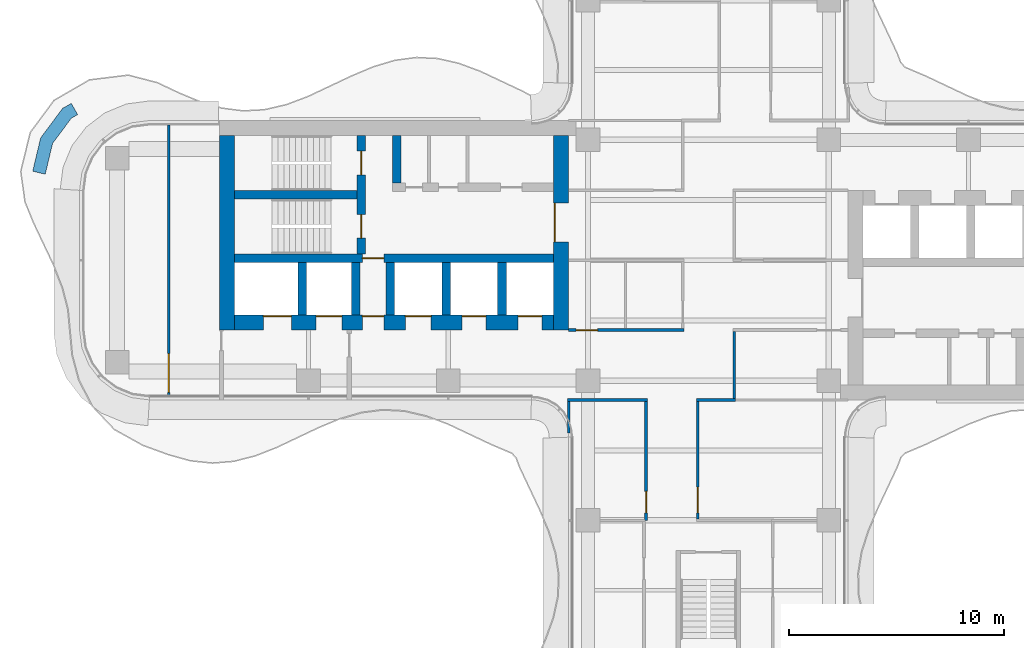
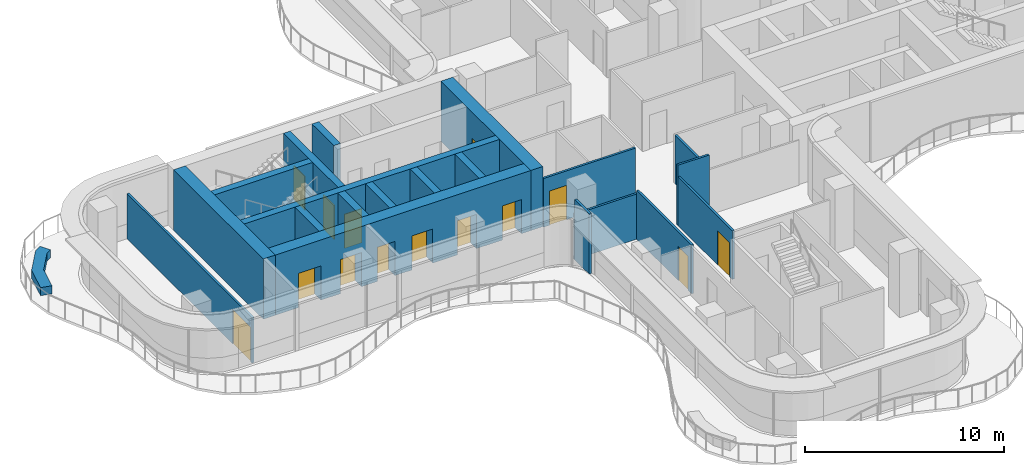
# One storey, part 12 of 17: 21 walls, 14 doors, 14 openings.
"""IFC4 building model written with IfcOpenShell, lengths in metres."""

from ifc_helpers import new_model, si_unit, direction, frame, frame_2d, origin, place, context, subcontext, project, spatial, polyline, rectangle, outline, extrude, source, transform, mapped, material, layer, layer_set, type_object, element, fill, save


model = new_model("IFC4")

# Units and contexts
model_context = context("Model", 3, precision=1e-05, world=origin(), true_north=direction((0.0, 1.0)))
body_context = subcontext(model_context, "Body", "Model", "MODEL_VIEW")
ifc_project = project(units=[si_unit("LENGTHUNIT", "METRE"), si_unit("AREAUNIT", "SQUARE_METRE"), si_unit("VOLUMEUNIT", "CUBIC_METRE"), si_unit("PLANEANGLEUNIT", "RADIAN"), si_unit("MASSUNIT", "GRAM", prefix="KILO")], contexts=[model_context])

# Site, building, storey
site_placement = place(None, origin())
site = spatial("IfcSite", under=ifc_project, at=site_placement, CompositionType="ELEMENT")
building_placement = place(site_placement, origin())
building = spatial("IfcBuilding", under=site, at=building_placement, Name="Trellis Farm Tower", CompositionType="ELEMENT")
storey_placement = place(building_placement, frame((0.0, 0.0, 236.300048828125)))
storey = spatial("IfcBuildingStorey", under=building, at=storey_placement, Name="L52", CompositionType="ELEMENT", Elevation=236.300048828125)

# Wall
ifc_material_1 = material(Name="Sandstone faced masonry planter", Category="masonry")
ifc_layer_1 = layer(ifc_material_1, 0.60009765625)
ifc_layer_set_1 = layer_set([ifc_layer_1], Name="PLANTER BED 600")
wall_type_1 = type_object("IfcWallType", Name="PLANTER BED 600", PredefinedType="USERDEFINED", material=ifc_layer_set_1)
wall_1_placement = place(storey_placement, origin())
element("IfcWall", 1, at=wall_1_placement, inside=storey, type_object=wall_type_1, Name="PLANTER bed", ObjectType="PLANTER", PredefinedType="USERDEFINED", context=body_context, shape_type="SweptSolid", body=[
    extrude(outline(polyline([(-31.059326171875, 5.690185546875), (-30.0361328125, 7.06640625), (-29.631103515625, 7.29443359375), (-29.336669921875, 6.771728515625), (-29.630615234375, 6.606201171875), (-30.50439453125, 5.430908203125), (-30.845947265625, 4.00048828125), (-31.4296875, 4.139892578125), (-31.059326171875, 5.690185546875)])), origin(), (0.0, 0.0, 1.0), 0.5),
])

# Wall, opening, door
ifc_material_2 = material(Name="Concrete C60/75", Category="concrete")
ifc_layer_2 = layer(ifc_material_2, 0.699951171875)
ifc_layer_set_2 = layer_set([ifc_layer_2], Name="CORE OUTER WALL 700 CONCRETE C60/75")
wall_type_2 = type_object("IfcWallType", Name="CORE OUTER WALL 700 CONCRETE C60/75", PredefinedType="SHEAR", material=ifc_layer_set_2)
shared_shape_1 = source(origin(), body_context, "Body", "SweptSolid", [
    extrude(rectangle(XDim=9.050048828125, YDim=0.699951171875, at=frame_2d((4.52490234375, 0.0))), origin(), (0.0, 0.0, 1.0), 3.699951171875),
])
wall_2_placement = place(storey_placement, frame((-6.85009765625, 5.800048828125, 0.0), z_axis=(0.0, 0.0, 1.0), x_axis=(0.0, -1.0, 0.0)))
wall_2 = element("IfcWall", 2, at=wall_2_placement, inside=storey, type_object=wall_type_2, Name="Core wall", PredefinedType="SHEAR", context=body_context, shape_type="MappedRepresentation", body=[
    mapped(shared_shape_1, transform((0.0, 0.0, 0.0))),
])
shared_shape_2 = source(origin(), body_context, "Body", "SweptSolid", [
    extrude(rectangle(XDim=1.800048828125, YDim=2.10009765625, at=frame_2d((0.89990234375, 1.050048828125))), frame((0.0, 0.360107421875, 0.0), z_axis=(0.0, -1.0, 0.0), x_axis=(1.0, 0.0, 0.0)), (0.0, 0.0, 1.0), 0.72021484375),
])
opening_1_placement = place(wall_2_placement, frame((3.14990234375, 0.0, 0.0)))
opening_1 = element("IfcOpeningElement", 3, at=opening_1_placement, cuts=wall_2, Name="Opening DC87", PredefinedType="OPENING", context=body_context, shape_type="MappedRepresentation", body=[
    mapped(shared_shape_2, transform((0.0, 0.0, 0.0))),
])
ifc_material_3 = material(Name="Steel", Category="steel")
door_type_1 = type_object("IfcDoorType", Name="CORE FIRE DOOR DOUBLE 1800 X 2100", OperationType="DOUBLE_DOOR_SINGLE_SWING", PredefinedType="DOOR", material=ifc_material_3)
shared_shape_3 = source(origin(), body_context, "Body", "SweptSolid", [
    extrude(rectangle(XDim=1.800048828125, YDim=2.10009765625, at=frame_2d((0.89990234375, 1.050048828125))), frame((0.0, -0.27490234375, 0.0), z_axis=(0.0, -1.0, 0.0), x_axis=(1.0, 0.0, 0.0)), (0.0, 0.0, 1.0), 0.050048828125),
])
door_1_placement = place(opening_1_placement, origin())
door_1 = element("IfcDoor", 4, at=door_1_placement, inside=storey, type_object=door_type_1, Name="Core door", OperationType="DOUBLE_DOOR_SINGLE_SWING", OverallHeight=2.10009765625, OverallWidth=1.800048828125, PredefinedType="DOOR", context=body_context, shape_type="MappedRepresentation", body=[
    mapped(shared_shape_3, transform((0.0, 0.0, 0.0))),
])
fill(opening_1, door_1)

# Walls
wall_3_placement = place(storey_placement, frame((-22.39990234375, 5.800048828125, 0.0), z_axis=(0.0, 0.0, 1.0), x_axis=(0.0, -1.0, 0.0)))
element("IfcWall", 5, at=wall_3_placement, inside=storey, type_object=wall_type_2, Name="Core wall", PredefinedType="SHEAR", context=body_context, shape_type="MappedRepresentation", body=[
    mapped(shared_shape_1, transform((0.0, 0.0, 0.0))),
])
ifc_layer_3 = layer(ifc_material_2, 0.39990234375)
ifc_layer_set_3 = layer_set([ifc_layer_3], Name="CORE INNER WALL 400 CONCRETE C60/75")
wall_type_3 = type_object("IfcWallType", Name="CORE INNER WALL 400 CONCRETE C60/75", PredefinedType="SHEAR", material=ifc_layer_set_3)
shared_shape_4 = source(origin(), body_context, "Body", "SweptSolid", [
    extrude(rectangle(XDim=2.449951171875, YDim=0.39990234375, at=frame_2d((1.22509765625, 0.0))), origin(), (0.0, 0.0, 1.0), 3.699951171875),
])
for number, where, z_axis, x_axis, name in (
    (6, (-9.60009765625, -0.10009765625, 0.0), (0.0, 0.0, 1.0), (0.0, -1.0, 0.0), "Core wall"),
    (7, (-12.199951171875, -0.10009765625, 0.0), (0.0, 0.0, 1.0), (0.0, -1.0, 0.0), "Core wall"),
    (8, (-14.800048828125, -0.10009765625, 0.0), (0.0, 0.0, 1.0), (0.0, -1.0, 0.0), "Core wall"),
    (9, (-16.39990234375, -0.10009765625, 0.0), (0.0, 0.0, 1.0), (0.0, -1.0, 0.0), "Core wall"),
    (10, (-18.89990234375, -0.10009765625, 0.0), (0.0, 0.0, 1.0), (0.0, -1.0, 0.0), "Core wall"),
):
    element("IfcWall", number, at=place(storey_placement, frame(where, z_axis=z_axis, x_axis=x_axis)), inside=storey, type_object=wall_type_3, Name=name, PredefinedType="SHEAR", context=body_context, shape_type="MappedRepresentation", body=[
        mapped(shared_shape_4, transform((0.0, 0.0, 0.0))),
    ])

# Wall, openings, doors
shared_shape_5 = source(origin(), body_context, "Body", "SweptSolid", [
    extrude(rectangle(XDim=14.85009765625, YDim=0.699951171875, at=frame_2d((7.425048828125, 0.0))), origin(), (0.0, 0.0, 1.0), 3.699951171875),
])
wall_4_placement = place(storey_placement, frame((-7.199951171875, -2.89990234375, 0.0), z_axis=(0.0, 0.0, 1.0), x_axis=(-1.0, 0.0, 0.0)))
wall_4 = element("IfcWall", 11, at=wall_4_placement, inside=storey, type_object=wall_type_2, Name="Core wall", PredefinedType="SHEAR", context=body_context, shape_type="MappedRepresentation", body=[
    mapped(shared_shape_5, transform((0.0, 0.0, 0.0))),
])
shared_shape_6 = source(origin(), body_context, "Body", "SweptSolid", [
    extrude(rectangle(XDim=1.10009765625, YDim=2.10009765625, at=frame_2d((0.550048828125, 1.050048828125))), frame((0.0, 0.360107421875, 0.0), z_axis=(0.0, -1.0, 0.0), x_axis=(1.0, 0.0, 0.0)), (0.0, 0.0, 1.0), 0.72021484375),
])
opening_2_placement = place(wall_4_placement, frame((0.550048828125, 0.0, 0.0)))
opening_2 = element("IfcOpeningElement", 12, at=opening_2_placement, cuts=wall_4, Name="Opening LD12", PredefinedType="OPENING", context=body_context, shape_type="MappedRepresentation", body=[
    mapped(shared_shape_6, transform((0.0, 0.0, 0.0))),
])
opening_3_placement = place(wall_4_placement, frame((3.14990234375, 0.0, 0.0)))
opening_3 = element("IfcOpeningElement", 13, at=opening_3_placement, cuts=wall_4, Name="Opening LD13", PredefinedType="OPENING", context=body_context, shape_type="MappedRepresentation", body=[
    mapped(shared_shape_6, transform((0.0, 0.0, 0.0))),
])
shared_shape_7 = source(origin(), body_context, "Body", "SweptSolid", [
    extrude(rectangle(XDim=1.199951171875, YDim=2.10009765625, at=frame_2d((0.60009765625, 1.050048828125))), frame((0.0, 0.360107421875, 0.0), z_axis=(0.0, -1.0, 0.0), x_axis=(1.0, 0.0, 0.0)), (0.0, 0.0, 1.0), 0.72021484375),
])
opening_4_placement = place(wall_4_placement, frame((5.699951171875, 0.0, 0.0)))
opening_4 = element("IfcOpeningElement", 14, at=opening_4_placement, cuts=wall_4, Name="Opening LD14", PredefinedType="OPENING", context=body_context, shape_type="MappedRepresentation", body=[
    mapped(shared_shape_7, transform((0.0, 0.0, 0.0))),
])
shared_shape_8 = source(origin(), body_context, "Body", "SweptSolid", [
    extrude(rectangle(XDim=1.300048828125, YDim=2.10009765625, at=frame_2d((0.64990234375, 1.050048828125))), frame((0.0, 0.360107421875, 0.0), z_axis=(0.0, -1.0, 0.0), x_axis=(1.0, 0.0, 0.0)), (0.0, 0.0, 1.0), 0.72021484375),
])
opening_5_placement = place(wall_4_placement, frame((12.199951171875, 0.0, 0.0)))
opening_5 = element("IfcOpeningElement", 15, at=opening_5_placement, cuts=wall_4, Name="Opening LD15", PredefinedType="OPENING", context=body_context, shape_type="MappedRepresentation", body=[
    mapped(shared_shape_8, transform((0.0, 0.0, 0.0))),
])
opening_6_placement = place(wall_4_placement, frame((9.85009765625, 0.0, 0.0)))
opening_6 = element("IfcOpeningElement", 16, at=opening_6_placement, cuts=wall_4, Name="Opening LD16", PredefinedType="OPENING", context=body_context, shape_type="MappedRepresentation", body=[
    mapped(shared_shape_7, transform((0.0, 0.0, 0.0))),
])
shared_shape_9 = source(origin(), body_context, "Body", "SweptSolid", [
    extrude(rectangle(XDim=1.0, YDim=2.10009765625, at=frame_2d((0.5, 1.050048828125))), frame((0.0, 0.360107421875, 0.0), z_axis=(0.0, -1.0, 0.0), x_axis=(1.0, 0.0, 0.0)), (0.0, 0.0, 1.0), 0.72021484375),
])
opening_7_placement = place(wall_4_placement, frame((7.89990234375, 0.0, 0.0)))
opening_7 = element("IfcOpeningElement", 17, at=opening_7_placement, cuts=wall_4, Name="Opening DC92", PredefinedType="OPENING", context=body_context, shape_type="MappedRepresentation", body=[
    mapped(shared_shape_9, transform((0.0, 0.0, 0.0))),
])
door_type_2 = type_object("IfcDoorType", Name="CORE FIRE DOOR 1000 X 2100", OperationType="NOTDEFINED", PredefinedType="DOOR", material=ifc_material_3)
shared_shape_10 = source(origin(), body_context, "Body", "SweptSolid", [
    extrude(rectangle(XDim=1.0, YDim=2.10009765625, at=frame_2d((0.5, 1.050048828125))), frame((0.0, -0.27490234375, 0.0), z_axis=(0.0, -1.0, 0.0), x_axis=(1.0, 0.0, 0.0)), (0.0, 0.0, 1.0), 0.050048828125),
])
door_2_placement = place(opening_7_placement, origin())
door_2 = element("IfcDoor", 18, at=door_2_placement, inside=storey, type_object=door_type_2, Name="Core door", OperationType="SINGLE_SWING_LEFT", OverallHeight=2.10009765625, OverallWidth=1.0, PredefinedType="DOOR", context=body_context, shape_type="MappedRepresentation", body=[
    mapped(shared_shape_10, transform((0.0, 0.0, 0.0))),
])
fill(opening_7, door_2)
ifc_material_4 = material(Name="Stainless steel", Category="steel")
door_type_3 = type_object("IfcDoorType", Name="LIFT LANDING DOOR 1300 X 2100", OperationType="DOUBLE_DOOR_SLIDING", PredefinedType="DOOR", material=ifc_material_4)
shared_shape_11 = source(origin(), body_context, "Body", "SweptSolid", [
    extrude(rectangle(XDim=1.300048828125, YDim=2.10009765625, at=frame_2d((0.64990234375, 1.050048828125))), frame((0.0, -0.27490234375, 0.0), z_axis=(0.0, -1.0, 0.0), x_axis=(1.0, 0.0, 0.0)), (0.0, 0.0, 1.0), 0.050048828125),
])
door_3_placement = place(opening_5_placement, origin())
door_3 = element("IfcDoor", 19, at=door_3_placement, inside=storey, type_object=door_type_3, Name="Lift landing door", OperationType="DOUBLE_DOOR_SLIDING", OverallHeight=2.10009765625, OverallWidth=1.300048828125, PredefinedType="DOOR", context=body_context, shape_type="MappedRepresentation", body=[
    mapped(shared_shape_11, transform((0.0, 0.0, 0.0))),
])
fill(opening_5, door_3)
door_type_4 = type_object("IfcDoorType", Name="LIFT LANDING DOOR 1200 X 2100", OperationType="DOUBLE_DOOR_SLIDING", PredefinedType="DOOR", material=ifc_material_4)
shared_shape_12 = source(origin(), body_context, "Body", "SweptSolid", [
    extrude(rectangle(XDim=1.199951171875, YDim=2.10009765625, at=frame_2d((0.60009765625, 1.050048828125))), frame((0.0, -0.27490234375, 0.0), z_axis=(0.0, -1.0, 0.0), x_axis=(1.0, 0.0, 0.0)), (0.0, 0.0, 1.0), 0.050048828125),
])
door_4_placement = place(opening_4_placement, origin())
door_4 = element("IfcDoor", 20, at=door_4_placement, inside=storey, type_object=door_type_4, Name="Lift landing door", OperationType="DOUBLE_DOOR_SLIDING", OverallHeight=2.10009765625, OverallWidth=1.199951171875, PredefinedType="DOOR", context=body_context, shape_type="MappedRepresentation", body=[
    mapped(shared_shape_12, transform((0.0, 0.0, 0.0))),
])
fill(opening_4, door_4)
door_5_placement = place(opening_6_placement, origin())
door_5 = element("IfcDoor", 21, at=door_5_placement, inside=storey, type_object=door_type_4, Name="Lift landing door", OperationType="DOUBLE_DOOR_SLIDING", OverallHeight=2.10009765625, OverallWidth=1.199951171875, PredefinedType="DOOR", context=body_context, shape_type="MappedRepresentation", body=[
    mapped(shared_shape_12, transform((0.0, 0.0, 0.0))),
])
fill(opening_6, door_5)
door_type_5 = type_object("IfcDoorType", Name="LIFT LANDING DOOR 1100 X 2100", OperationType="DOUBLE_DOOR_SLIDING", PredefinedType="DOOR", material=ifc_material_4)
shared_shape_13 = source(origin(), body_context, "Body", "SweptSolid", [
    extrude(rectangle(XDim=1.10009765625, YDim=2.10009765625, at=frame_2d((0.550048828125, 1.050048828125))), frame((0.0, -0.27490234375, 0.0), z_axis=(0.0, -1.0, 0.0), x_axis=(1.0, 0.0, 0.0)), (0.0, 0.0, 1.0), 0.050048828125),
])
door_6_placement = place(opening_2_placement, origin())
door_6 = element("IfcDoor", 22, at=door_6_placement, inside=storey, type_object=door_type_5, Name="Lift landing door", OperationType="DOUBLE_DOOR_SLIDING", OverallHeight=2.10009765625, OverallWidth=1.10009765625, PredefinedType="DOOR", context=body_context, shape_type="MappedRepresentation", body=[
    mapped(shared_shape_13, transform((0.0, 0.0, 0.0))),
])
fill(opening_2, door_6)
door_7_placement = place(opening_3_placement, origin())
door_7 = element("IfcDoor", 23, at=door_7_placement, inside=storey, type_object=door_type_5, Name="Lift landing door", OperationType="DOUBLE_DOOR_SLIDING", OverallHeight=2.10009765625, OverallWidth=1.10009765625, PredefinedType="DOOR", context=body_context, shape_type="MappedRepresentation", body=[
    mapped(shared_shape_13, transform((0.0, 0.0, 0.0))),
])
fill(opening_3, door_7)

# Wall, opening, door
shared_shape_14 = source(origin(), body_context, "Body", "SweptSolid", [
    extrude(rectangle(XDim=14.85009765625, YDim=0.39990234375, at=frame_2d((7.425048828125, 0.0))), origin(), (0.0, 0.0, 1.0), 3.699951171875),
])
wall_5_placement = place(storey_placement, frame((-7.199951171875, 0.10009765625, 0.0), z_axis=(0.0, 0.0, 1.0), x_axis=(-1.0, 0.0, 0.0)))
wall_5 = element("IfcWall", 24, at=wall_5_placement, inside=storey, type_object=wall_type_3, Name="Core wall", PredefinedType="SHEAR", context=body_context, shape_type="MappedRepresentation", body=[
    mapped(shared_shape_14, transform((0.0, 0.0, 0.0))),
])
shared_shape_15 = source(origin(), body_context, "Body", "SweptSolid", [
    extrude(rectangle(XDim=1.0, YDim=2.10009765625, at=frame_2d((0.5, 1.050048828125))), frame((0.0, 0.2099609375, 0.0), z_axis=(0.0, -1.0, 0.0), x_axis=(1.0, 0.0, 0.0)), (0.0, 0.0, 1.0), 0.419921875),
])
opening_8_placement = place(wall_5_placement, frame((7.89990234375, 0.0, 0.0)))
opening_8 = element("IfcOpeningElement", 25, at=opening_8_placement, cuts=wall_5, Name="Opening DC91", PredefinedType="OPENING", context=body_context, shape_type="MappedRepresentation", body=[
    mapped(shared_shape_15, transform((0.0, 0.0, 0.0))),
])
shared_shape_16 = source(origin(), body_context, "Body", "SweptSolid", [
    extrude(rectangle(XDim=1.0, YDim=2.10009765625, at=frame_2d((0.5, 1.050048828125))), frame((0.0, 0.02490234375, 0.0), z_axis=(0.0, -1.0, 0.0), x_axis=(1.0, 0.0, 0.0)), (0.0, 0.0, 1.0), 0.050048828125),
])
door_8_placement = place(opening_8_placement, origin())
door_8 = element("IfcDoor", 26, at=door_8_placement, inside=storey, type_object=door_type_2, Name="Core door", OperationType="SINGLE_SWING_RIGHT", OverallHeight=2.10009765625, OverallWidth=1.0, PredefinedType="DOOR", context=body_context, shape_type="MappedRepresentation", body=[
    mapped(shared_shape_16, transform((0.0, 0.0, 0.0))),
])
fill(opening_8, door_8)

# Wall, openings, doors
shared_shape_17 = source(origin(), body_context, "Body", "SweptSolid", [
    extrude(rectangle(XDim=5.5, YDim=0.39990234375, at=frame_2d((2.75, 0.0))), origin(), (0.0, 0.0, 1.0), 3.699951171875),
])
wall_6_placement = place(storey_placement, frame((-16.14990234375, 5.800048828125, 0.0), z_axis=(0.0, 0.0, 1.0), x_axis=(0.0, -1.0, 0.0)))
wall_6 = element("IfcWall", 27, at=wall_6_placement, inside=storey, type_object=wall_type_3, Name="Core wall", PredefinedType="SHEAR", context=body_context, shape_type="MappedRepresentation", body=[
    mapped(shared_shape_17, transform((0.0, 0.0, 0.0))),
])
shared_shape_18 = source(origin(), body_context, "Body", "SweptSolid", [
    extrude(rectangle(XDim=1.10009765625, YDim=2.10009765625, at=frame_2d((0.550048828125, 1.050048828125))), frame((0.0, 0.2099609375, 0.0), z_axis=(0.0, -1.0, 0.0), x_axis=(1.0, 0.0, 0.0)), (0.0, 0.0, 1.0), 0.419921875),
])
opening_9_placement = place(wall_6_placement, frame((0.72509765625, 0.0, 0.0)))
opening_9 = element("IfcOpeningElement", 28, at=opening_9_placement, cuts=wall_6, Name="Opening DC88", PredefinedType="OPENING", context=body_context, shape_type="MappedRepresentation", body=[
    mapped(shared_shape_18, transform((0.0, 0.0, 0.0))),
])
opening_10_placement = place(wall_6_placement, frame((3.675048828125, 0.0, 0.0)))
opening_10 = element("IfcOpeningElement", 29, at=opening_10_placement, cuts=wall_6, Name="Opening DC89", PredefinedType="OPENING", context=body_context, shape_type="MappedRepresentation", body=[
    mapped(shared_shape_18, transform((0.0, 0.0, 0.0))),
])
door_type_6 = type_object("IfcDoorType", Name="CORE FIRE DOOR 1100 X 2100", OperationType="NOTDEFINED", PredefinedType="DOOR", material=ifc_material_3)
shared_shape_19 = source(origin(), body_context, "Body", "SweptSolid", [
    extrude(rectangle(XDim=1.10009765625, YDim=2.10009765625, at=frame_2d((0.550048828125, 1.050048828125))), frame((0.0, 0.02490234375, 0.0), z_axis=(0.0, -1.0, 0.0), x_axis=(1.0, 0.0, 0.0)), (0.0, 0.0, 1.0), 0.050048828125),
])
door_9_placement = place(opening_9_placement, origin())
door_9 = element("IfcDoor", 30, at=door_9_placement, inside=storey, type_object=door_type_6, Name="Core door", OperationType="SINGLE_SWING_RIGHT", OverallHeight=2.10009765625, OverallWidth=1.10009765625, PredefinedType="DOOR", context=body_context, shape_type="MappedRepresentation", body=[
    mapped(shared_shape_19, transform((0.0, 0.0, 0.0))),
])
fill(opening_9, door_9)
door_10_placement = place(opening_10_placement, origin())
door_10 = element("IfcDoor", 31, at=door_10_placement, inside=storey, type_object=door_type_6, Name="Core door", OperationType="SINGLE_SWING_LEFT", OverallHeight=2.10009765625, OverallWidth=1.10009765625, PredefinedType="DOOR", context=body_context, shape_type="MappedRepresentation", body=[
    mapped(shared_shape_19, transform((0.0, 0.0, 0.0))),
])
fill(opening_10, door_10)

# Walls
shared_shape_20 = source(origin(), body_context, "Body", "SweptSolid", [
    extrude(rectangle(XDim=5.699951171875, YDim=0.39990234375, at=frame_2d((2.85009765625, 0.0))), origin(), (0.0, 0.0, 1.0), 3.699951171875),
])
wall_7_placement = place(storey_placement, frame((-16.35009765625, 3.050048828125, 0.0), z_axis=(0.0, 0.0, 1.0), x_axis=(-1.0, 0.0, 0.0)))
element("IfcWall", 32, at=wall_7_placement, inside=storey, type_object=wall_type_3, Name="Core wall", PredefinedType="SHEAR", context=body_context, shape_type="MappedRepresentation", body=[
    mapped(shared_shape_20, transform((0.0, 0.0, 0.0))),
])
shared_shape_21 = source(origin(), body_context, "Body", "SweptSolid", [
    extrude(rectangle(XDim=2.199951171875, YDim=0.39990234375, at=frame_2d((1.10009765625, 0.0))), origin(), (0.0, 0.0, 1.0), 3.699951171875),
])
wall_8_placement = place(storey_placement, frame((-14.5, 5.800048828125, 0.0), z_axis=(0.0, 0.0, 1.0), x_axis=(0.0, -1.0, 0.0)))
element("IfcWall", 33, at=wall_8_placement, inside=storey, type_object=wall_type_3, Name="Core wall", PredefinedType="SHEAR", context=body_context, shape_type="MappedRepresentation", body=[
    mapped(shared_shape_21, transform((0.0, 0.0, 0.0))),
])
ifc_material_5 = material(Name="Plasterboard on steel studs, mineral wool", Category="steel")
ifc_layer_4 = layer(ifc_material_5, 0.125)
ifc_layer_set_4 = layer_set([ifc_layer_4], Name="PARTITION 125 STUD EI 60")
wall_type_4 = type_object("IfcWallType", Name="PARTITION 125 STUD EI 60", PredefinedType="PARTITIONING", material=ifc_layer_set_4)
shared_shape_22 = source(origin(), body_context, "Body", "SweptSolid", [
    extrude(rectangle(XDim=1.468994140625, YDim=0.125, at=frame_2d((0.734375, 0.0))), origin(), (0.0, 0.0, 1.0), 3.699951171875),
])
wall_9_placement = place(storey_placement, frame((-6.5, -6.5625, 0.0), z_axis=(0.0, 0.0, 1.0), x_axis=(0.0, -1.0, 0.0)))
element("IfcWall", 34, at=wall_9_placement, inside=storey, type_object=wall_type_4, Name="Partition PW1", PredefinedType="PARTITIONING", context=body_context, shape_type="MappedRepresentation", body=[
    mapped(shared_shape_22, transform((0.0, 0.0, 0.0))),
])

# Wall, opening, door
shared_shape_23 = source(origin(), body_context, "Body", "SweptSolid", [
    extrude(rectangle(XDim=12.60009765625, YDim=0.125, at=frame_2d((6.300048828125, 0.0))), origin(), (0.0, 0.0, 1.0), 2.780029296875),
])
wall_10_placement = place(storey_placement, frame((-25.10009765625, -6.300048828125, 0.0), z_axis=(0.0, 0.0, 1.0), x_axis=(0.0, 1.0, 0.0)))
wall_10 = element("IfcWall", 35, at=wall_10_placement, inside=storey, type_object=wall_type_4, Name="Partition PW1", PredefinedType="PARTITIONING", context=body_context, shape_type="MappedRepresentation", body=[
    mapped(shared_shape_23, transform((0.0, 0.0, 0.0))),
])
shared_shape_24 = source(origin(), body_context, "Body", "SweptSolid", [
    extrude(rectangle(XDim=1.800048828125, YDim=2.10009765625, at=frame_2d((0.89990234375, 1.050048828125))), frame((0.0, 0.072509765625, 0.0), z_axis=(0.0, -1.0, 0.0), x_axis=(1.0, 0.0, 0.0)), (0.0, 0.0, 1.0), 0.14501953125),
])
opening_11_placement = place(wall_10_placement, frame((0.14990234375, 0.0, 0.0)))
opening_11 = element("IfcOpeningElement", 36, at=opening_11_placement, cuts=wall_10, Name="Opening D202", PredefinedType="OPENING", context=body_context, shape_type="MappedRepresentation", body=[
    mapped(shared_shape_24, transform((0.0, 0.0, 0.0))),
])
ifc_material_6 = material(Name="Fire-rated timber door leaf in a hollow metal frame", Category="wood")
door_type_7 = type_object("IfcDoorType", Name="DOOR PAIR 1800x2100 FD30S", OperationType="NOTDEFINED", PredefinedType="DOOR", material=ifc_material_6)
shared_shape_25 = source(origin(), body_context, "Body", "SweptSolid", [
    extrude(rectangle(XDim=1.800048828125, YDim=2.10009765625, at=frame_2d((0.89990234375, 1.050048828125))), frame((0.0, 0.02490234375, 0.0), z_axis=(0.0, -1.0, 0.0), x_axis=(1.0, 0.0, 0.0)), (0.0, 0.0, 1.0), 0.050048828125),
])
door_11_placement = place(opening_11_placement, origin())
door_11 = element("IfcDoor", 37, at=door_11_placement, inside=storey, type_object=door_type_7, Name="Door D202", OperationType="DOUBLE_DOOR_SINGLE_SWING", OverallHeight=2.10009765625, OverallWidth=1.800048828125, PredefinedType="DOOR", context=body_context, shape_type="MappedRepresentation", body=[
    mapped(shared_shape_25, transform((0.0, 0.0, 0.0))),
])
fill(opening_11, door_11)

# Walls
shared_shape_26 = source(origin(), body_context, "Body", "SweptSolid", [
    extrude(rectangle(XDim=1.824951171875, YDim=0.125, at=frame_2d((0.91259765625, 0.0))), origin(), (0.0, 0.0, 1.0), 3.699951171875),
])
wall_11_placement = place(storey_placement, frame((1.262451171875, -6.5, 0.0), z_axis=(0.0, 0.0, 1.0), x_axis=(-1.0, 0.0, 0.0)))
element("IfcWall", 38, at=wall_11_placement, inside=storey, type_object=wall_type_4, Name="Partition PW1", PredefinedType="PARTITIONING", context=body_context, shape_type="MappedRepresentation", body=[
    mapped(shared_shape_26, transform((0.0, 0.0, 0.0))),
])
shared_shape_27 = source(origin(), body_context, "Body", "SweptSolid", [
    extrude(rectangle(XDim=3.72509765625, YDim=0.125, at=frame_2d((1.862548828125, 0.0))), origin(), (0.0, 0.0, 1.0), 2.780029296875),
])
wall_12_placement = place(storey_placement, frame((-2.83740234375, -6.5, 0.0), z_axis=(0.0, 0.0, 1.0), x_axis=(-1.0, 0.0, 0.0)))
element("IfcWall", 39, at=wall_12_placement, inside=storey, type_object=wall_type_4, Name="Partition PW1", PredefinedType="PARTITIONING", context=body_context, shape_type="MappedRepresentation", body=[
    mapped(shared_shape_27, transform((0.0, 0.0, 0.0))),
])

# Wall, opening, door
shared_shape_28 = source(origin(), body_context, "Body", "SweptSolid", [
    extrude(rectangle(XDim=5.47509765625, YDim=0.125, at=frame_2d((2.737548828125, 0.0))), origin(), (0.0, 0.0, 1.0), 2.996337890625),
])
wall_13_placement = place(storey_placement, frame((-0.5, -6.5625, 0.0), z_axis=(0.0, 0.0, 1.0), x_axis=(0.0, -1.0, 0.0)))
wall_13 = element("IfcWall", 40, at=wall_13_placement, inside=storey, type_object=wall_type_4, Name="Partition PW1", PredefinedType="PARTITIONING", context=body_context, shape_type="MappedRepresentation", body=[
    mapped(shared_shape_28, transform((0.0, 0.0, 0.0))),
])
shared_shape_29 = source(origin(), body_context, "Body", "SweptSolid", [
    extrude(rectangle(XDim=1.199951171875, YDim=2.10009765625, at=frame_2d((0.60009765625, 1.050048828125))), frame((0.0, 0.072509765625, 0.0), z_axis=(0.0, -1.0, 0.0), x_axis=(1.0, 0.0, 0.0)), (0.0, 0.0, 1.0), 0.14501953125),
])
opening_12_placement = place(wall_13_placement, frame((3.987548828125, 0.0, 0.0)))
opening_12 = element("IfcOpeningElement", 41, at=opening_12_placement, cuts=wall_13, Name="Opening D601", PredefinedType="OPENING", context=body_context, shape_type="MappedRepresentation", body=[
    mapped(shared_shape_29, transform((0.0, 0.0, 0.0))),
])
door_type_8 = type_object("IfcDoorType", Name="DOOR 1200x2100 FD30S", OperationType="NOTDEFINED", PredefinedType="DOOR", material=ifc_material_6)
shared_shape_30 = source(origin(), body_context, "Body", "SweptSolid", [
    extrude(rectangle(XDim=1.199951171875, YDim=2.10009765625, at=frame_2d((0.60009765625, 1.050048828125))), frame((0.0, 0.02490234375, 0.0), z_axis=(0.0, -1.0, 0.0), x_axis=(1.0, 0.0, 0.0)), (0.0, 0.0, 1.0), 0.050048828125),
])
door_12_placement = place(opening_12_placement, origin())
door_12 = element("IfcDoor", 42, at=door_12_placement, inside=storey, type_object=door_type_8, Name="Door D601", OperationType="SINGLE_SWING_RIGHT", OverallHeight=2.10009765625, OverallWidth=1.199951171875, PredefinedType="DOOR", context=body_context, shape_type="MappedRepresentation", body=[
    mapped(shared_shape_30, transform((0.0, 0.0, 0.0))),
])
fill(opening_12, door_12)

# Wall
shared_shape_31 = source(origin(), body_context, "Body", "SweptSolid", [
    extrude(rectangle(XDim=3.137451171875, YDim=0.125, at=frame_2d((1.56884765625, 0.0))), origin(), (0.0, 0.0, 1.0), 2.996337890625),
])
wall_14_placement = place(storey_placement, frame((1.199951171875, -3.3125, 0.0), z_axis=(0.0, 0.0, 1.0), x_axis=(0.0, -1.0, 0.0)))
element("IfcWall", 43, at=wall_14_placement, inside=storey, type_object=wall_type_4, Name="Partition PW1", PredefinedType="PARTITIONING", context=body_context, shape_type="MappedRepresentation", body=[
    mapped(shared_shape_31, transform((0.0, 0.0, 0.0))),
])

# Wall, opening, door
shared_shape_32 = source(origin(), body_context, "Body", "SweptSolid", [
    extrude(rectangle(XDim=5.53759765625, YDim=0.125, at=frame_2d((2.768798828125, 0.0))), origin(), (0.0, 0.0, 1.0), 2.996337890625),
])
wall_15_placement = place(storey_placement, frame((-2.89990234375, -12.10009765625, 0.0), z_axis=(0.0, 0.0, 1.0), x_axis=(0.0, 1.0, 0.0)))
wall_15 = element("IfcWall", 44, at=wall_15_placement, inside=storey, type_object=wall_type_4, Name="Partition PW1", PredefinedType="PARTITIONING", context=body_context, shape_type="MappedRepresentation", body=[
    mapped(shared_shape_32, transform((0.0, 0.0, 0.0))),
])
shared_shape_33 = source(origin(), body_context, "Body", "SweptSolid", [
    extrude(rectangle(XDim=1.0, YDim=2.10009765625, at=frame_2d((0.5, 1.050048828125))), frame((0.0, 0.072509765625, 0.0), z_axis=(0.0, -1.0, 0.0), x_axis=(1.0, 0.0, 0.0)), (0.0, 0.0, 1.0), 0.14501953125),
])
opening_13_placement = place(wall_15_placement, frame((0.35009765625, 0.0, 0.0)))
opening_13 = element("IfcOpeningElement", 45, at=opening_13_placement, cuts=wall_15, Name="Opening D103", PredefinedType="OPENING", context=body_context, shape_type="MappedRepresentation", body=[
    mapped(shared_shape_33, transform((0.0, 0.0, 0.0))),
])
door_type_9 = type_object("IfcDoorType", Name="DOOR 1000x2100 FD30S", OperationType="NOTDEFINED", PredefinedType="DOOR", material=ifc_material_6)
door_13_placement = place(opening_13_placement, origin())
door_13 = element("IfcDoor", 46, at=door_13_placement, inside=storey, type_object=door_type_9, Name="Door D103", OperationType="SINGLE_SWING_LEFT", OverallHeight=2.10009765625, OverallWidth=1.0, PredefinedType="DOOR", context=body_context, shape_type="MappedRepresentation", body=[
    mapped(shared_shape_16, transform((0.0, 0.0, 0.0))),
])
fill(opening_13, door_13)

shared_shape_34 = source(origin(), body_context, "Body", "SweptSolid", [
    extrude(rectangle(XDim=5.362548828125, YDim=0.125, at=frame_2d((2.68115234375, 0.0))), origin(), (0.0, 0.0, 1.0), 2.996337890625),
])
wall_16_placement = place(storey_placement, frame((-1.137451171875, -3.25, 0.0), z_axis=(0.0, 0.0, 1.0), x_axis=(-1.0, 0.0, 0.0)))
wall_16 = element("IfcWall", 47, at=wall_16_placement, inside=storey, type_object=wall_type_4, Name="Partition PW1", PredefinedType="PARTITIONING", context=body_context, shape_type="MappedRepresentation", body=[
    mapped(shared_shape_34, transform((0.0, 0.0, 0.0))),
])
opening_14_placement = place(wall_16_placement, frame((4.012451171875, 0.0, 0.0)))
opening_14 = element("IfcOpeningElement", 48, at=opening_14_placement, cuts=wall_16, Name="Opening D104", PredefinedType="OPENING", context=body_context, shape_type="MappedRepresentation", body=[
    mapped(shared_shape_33, transform((0.0, 0.0, 0.0))),
])
door_14_placement = place(opening_14_placement, origin())
door_14 = element("IfcDoor", 49, at=door_14_placement, inside=storey, type_object=door_type_9, Name="Door D104", OperationType="SINGLE_SWING_RIGHT", OverallHeight=2.10009765625, OverallWidth=1.0, PredefinedType="DOOR", context=body_context, shape_type="MappedRepresentation", body=[
    mapped(shared_shape_16, transform((0.0, 0.0, 0.0))),
])
fill(opening_14, door_14)

save(model, "model.ifc")
